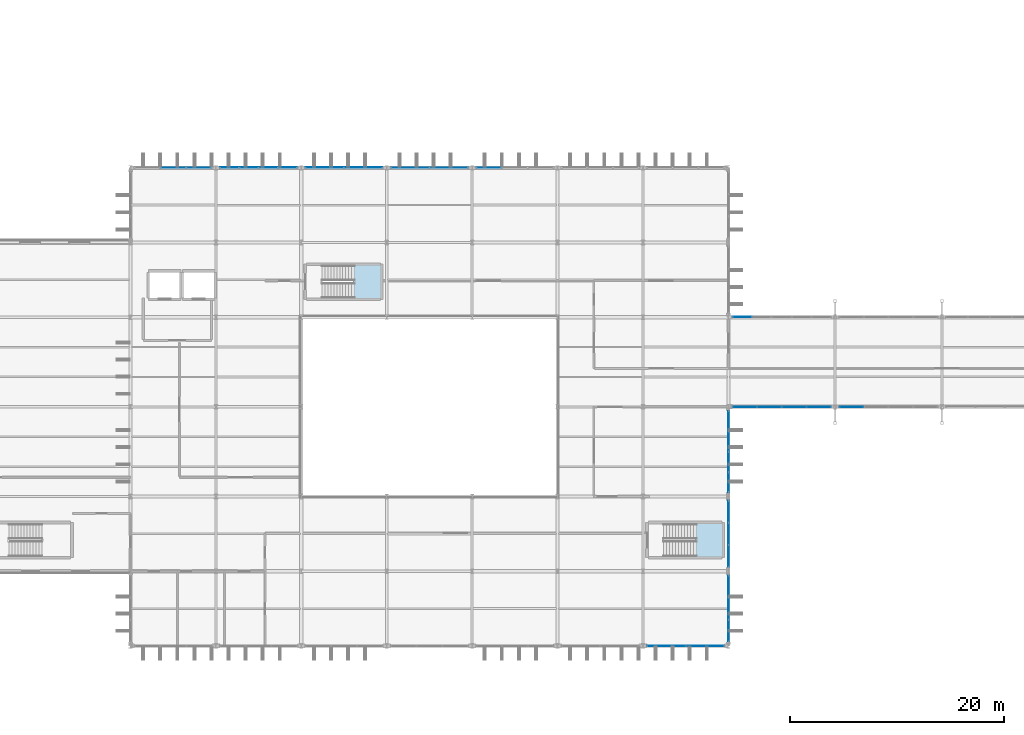
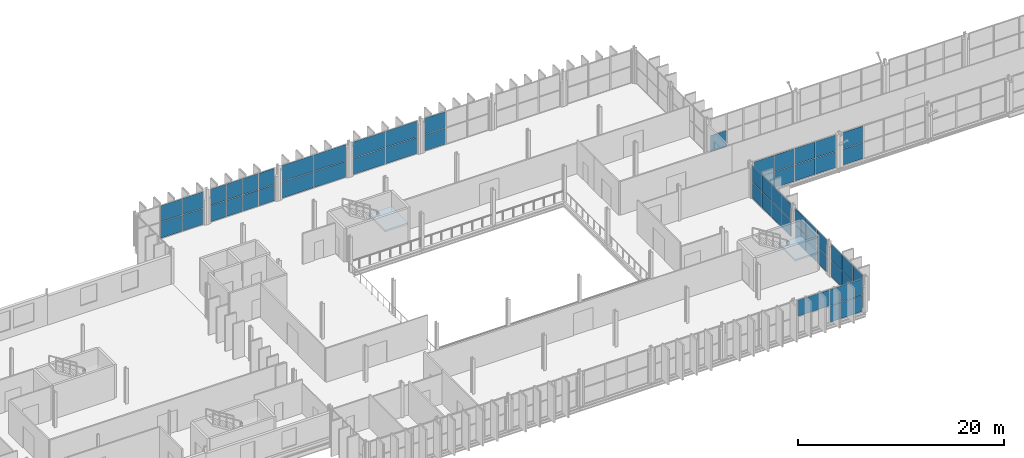
# One storey, part 69 of 101: 56 plates, 2 slabs, 14 elements without a shape of their own.
"""IFC4 building model written with IfcOpenShell, lengths in metres."""

import ifcopenshell
import ifcopenshell.guid

model = None  # the IFC model being written
_history = None  # IfcOwnerHistory: only IFC2X3 demands one
_inside = {}  # id of a spatial element -> (the spatial element, [elements in it])
_under = {}  # id of a project, library or spatial element -> (it, [spatial elements below it])
_declared = {}  # id of a project -> (the project, [libraries it declares])
_typed = {}  # id of a type object -> (the type object, [elements of that type])
_made_of = {}  # id of a material, layer set ... -> (it, [elements and type objects made of it])


def new_model(schema):
    """Start an empty IFC model of exactly this schema.

    Asked for "IFC4X3", IfcOpenShell would pick the latest addendum, in which some entities
    have other attributes; the version numbers below select the first issue.
    IFC2X3 requires an IfcOwnerHistory on every rooted entity: one is made here for all.
    """
    global model, _history
    if schema == "IFC4X3":
        model = ifcopenshell.file(schema_version=(4, 3, 0, 0))
    else:
        model = ifcopenshell.file(schema=schema)
    _inside.clear()
    _under.clear()
    _declared.clear()
    _typed.clear()
    _made_of.clear()
    _history = None
    if model.schema == "IFC2X3":
        org = make("IfcOrganization", Name="unknown")
        user = make(
            "IfcPersonAndOrganization",
            ThePerson=make("IfcPerson", FamilyName="unknown"),
            TheOrganization=org,
        )
        app = make(
            "IfcApplication",
            ApplicationDeveloper=org,
            Version="unknown",
            ApplicationFullName="unknown",
            ApplicationIdentifier="unknown",
        )
        _history = make(
            "IfcOwnerHistory",
            OwningUser=user,
            OwningApplication=app,
            ChangeAction="ADDED",
            CreationDate=0,
        )
    return model


def make(cls, **values):
    """One entity of the class cls with the attributes given. An attribute that is None is left unset."""
    return model.create_entity(
        cls, **{name: value for name, value in values.items() if value is not None}
    )


def rooted(cls, **values):
    """An entity with a GlobalId (a new one), such as an element, a storey or a relation."""
    return make(cls, GlobalId=ifcopenshell.guid.new(), OwnerHistory=_history, **values)


def si_unit(unit_type, name, prefix=None):
    """IfcSIUnit, for example si_unit("LENGTHUNIT", "METRE", prefix="MILLI")."""
    return make("IfcSIUnit", UnitType=unit_type, Prefix=prefix, Name=name)


def assignment(units):
    """IfcUnitAssignment: the units of a project."""
    return None if units is None else make("IfcUnitAssignment", Units=units)


def point(xyz):
    """IfcCartesianPoint."""
    return None if xyz is None else make("IfcCartesianPoint", Coordinates=xyz)


def direction(xyz):
    """IfcDirection."""
    return None if xyz is None else make("IfcDirection", DirectionRatios=xyz)


def frame(location, z_axis=None, x_axis=None):
    """IfcAxis2Placement3D, a coordinate frame: its origin and axes. An axis left out is left unset."""
    return make(
        "IfcAxis2Placement3D",
        Location=point(location),
        Axis=direction(z_axis),
        RefDirection=direction(x_axis),
    )


def frame_2d(location, x_axis=None):
    """IfcAxis2Placement2D, a coordinate frame in the plane: its origin and x axis."""
    return make(
        "IfcAxis2Placement2D", Location=point(location), RefDirection=direction(x_axis)
    )


def origin():
    """The frame at (0, 0, 0) with its axes left unset."""
    return frame((0.0, 0.0, 0.0))


def origin_2d():
    """The frame at (0, 0) in the plane with its x axis left unset."""
    return frame_2d((0.0, 0.0))


def place(relative_to, where):
    """IfcLocalPlacement: puts the frame where relative to a parent placement (None: the world)."""
    return make(
        "IfcLocalPlacement", PlacementRelTo=relative_to, RelativePlacement=where
    )


def context(
    kind, dimensions, precision=None, world=None, true_north=None, identifier=None
):
    """IfcGeometricRepresentationContext, for example the 3D "Model" context."""
    return make(
        "IfcGeometricRepresentationContext",
        ContextIdentifier=identifier,
        ContextType=kind,
        CoordinateSpaceDimension=dimensions,
        Precision=precision,
        WorldCoordinateSystem=world,
        TrueNorth=true_north,
    )


def subcontext(parent, identifier, kind, view, scale=None):
    """IfcGeometricRepresentationSubContext, for example "Body" below "Model"."""
    return make(
        "IfcGeometricRepresentationSubContext",
        ContextIdentifier=identifier,
        ContextType=kind,
        ParentContext=parent,
        TargetScale=scale,
        TargetView=view,
    )


def project(units=None, contexts=None):
    """IfcProject with its units and contexts."""
    return rooted(
        "IfcProject",
        Name="project",
        RepresentationContexts=contexts,
        UnitsInContext=assignment(units),
    )


def spatial(cls, under=None, at=None, **own):
    """A site, building, storey or space (cls), placed at a placement, below another one or the project."""
    s = rooted(cls, ObjectPlacement=at, **own)
    if under is not None:
        _under.setdefault(under.id(), (under, []))[1].append(s)
    return s


def polyline(points):
    """IfcPolyline through the points."""
    return make("IfcPolyline", Points=[point(p) for p in points])


def profile(cls, at=None, kind="AREA", **sizes):
    """A parametric profile (cls). Its sizes go by their IFC names, for example OverallWidth=200.0."""
    return make(cls, ProfileType=kind, Position=at, **sizes)


def rectangle(**sizes):
    """IfcRectangleProfileDef."""
    return profile("IfcRectangleProfileDef", **sizes)


def outline(outer, holes=None, kind="AREA"):
    """IfcArbitraryClosedProfileDef: a profile drawn as a closed curve; with holes, ...WithVoids."""
    if holes is None:
        return make("IfcArbitraryClosedProfileDef", ProfileType=kind, OuterCurve=outer)
    return make(
        "IfcArbitraryProfileDefWithVoids",
        ProfileType=kind,
        OuterCurve=outer,
        InnerCurves=holes,
    )


def extrude(swept, where, along, depth):
    """IfcExtrudedAreaSolid: the profile swept, set in the frame where, extruded along a direction by depth."""
    return make(
        "IfcExtrudedAreaSolid",
        SweptArea=swept,
        Position=where,
        ExtrudedDirection=direction(along),
        Depth=depth,
    )


def shape(context_of_items, identifier, shape_type, items):
    """IfcShapeRepresentation: the items that make up one representation, for example the "Body"."""
    return make(
        "IfcShapeRepresentation",
        ContextOfItems=context_of_items,
        RepresentationIdentifier=identifier,
        RepresentationType=shape_type,
        Items=items,
    )


def material(Name=None, Category=None):
    """IfcMaterial."""
    return make("IfcMaterial", Name=Name, Category=Category)


def layer(
    of_material, thickness, ventilated=None, Name=None, Category=None, Priority=None
):
    """IfcMaterialLayer: one layer of a wall or slab, of a material (None: an air gap)."""
    return make(
        "IfcMaterialLayer",
        Material=of_material,
        LayerThickness=thickness,
        IsVentilated=ventilated,
        Name=Name,
        Category=Category,
        Priority=Priority,
    )


def layer_set(layers, Name=None):
    """IfcMaterialLayerSet."""
    return make("IfcMaterialLayerSet", MaterialLayers=layers, LayerSetName=Name)


def made_of(thing, what):
    """Note that an element or type object is made of a material, layer set ...; save() writes the relation."""
    if what is not None:
        _made_of.setdefault(what.id(), (what, []))[1].append(thing)
    return thing


def type_object(cls, material=None, **own):
    """A type object (cls), such as IfcWallType, which elements share."""
    return made_of(rooted(cls, **own), material)


def element(
    cls,
    number,
    at=None,
    inside=None,
    cuts=None,
    type_object=None,
    material=None,
    context=None,
    identifier="Body",
    shape_type=None,
    held_by="IfcProductDefinitionShape",
    body=None,
    shapes=None,
    **own,
):
    """One element of the class cls, such as IfcWall. Its Tag is "e" and its number.

    at: its placement. inside: the storey or other place that contains it. cuts: it is an
    opening in that element (IfcRelVoidsElement). A single representation is given by context,
    identifier, shape_type and body (its items); several are given by shapes. held_by: the class
    of the entity that holds the representations. save() writes the other relations.
    """
    e = rooted(cls, Tag="e%d" % number, ObjectPlacement=at, **own)
    if body is not None:
        shapes = [shape(context, identifier, shape_type, body)]
    if shapes is not None:
        e.Representation = make(held_by, Representations=shapes)
    if inside is not None:
        _inside.setdefault(inside.id(), (inside, []))[1].append(e)
    if cuts is not None:
        rooted(
            "IfcRelVoidsElement", RelatingBuildingElement=cuts, RelatedOpeningElement=e
        )
    if type_object is not None:
        _typed.setdefault(type_object.id(), (type_object, []))[1].append(e)
    return made_of(e, material)


def aggregate(whole, parts):
    """IfcRelAggregates: a whole, such as a stair, and the parts it consists of."""
    return rooted("IfcRelAggregates", RelatingObject=whole, RelatedObjects=parts)


def save(model, path):
    """Write the relations noted so far, then the file.

    IfcRelAggregates (storeys below a building ...), IfcRelContainedInSpatialStructure (elements
    in a storey), IfcRelDefinesByType, IfcRelAssociatesMaterial and IfcRelDeclares: one each for
    every whole, place, type object, material and project.
    """
    for whole, parts in _under.values():
        aggregate(whole, parts)
    for where, things in _inside.values():
        rooted(
            "IfcRelContainedInSpatialStructure",
            RelatedElements=things,
            RelatingStructure=where,
        )
    for kind, things in _typed.values():
        rooted("IfcRelDefinesByType", RelatedObjects=things, RelatingType=kind)
    for what, things in _made_of.values():
        rooted("IfcRelAssociatesMaterial", RelatedObjects=things, RelatingMaterial=what)
    for by, libraries in _declared.values():
        rooted("IfcRelDeclares", RelatingContext=by, RelatedDefinitions=libraries)
    model.write(path)


model = new_model("IFC4")

# Units and contexts
model_context = context("Model", 3, precision=1e-05, world=origin(), true_north=direction((0.0, 1.0)))
body_context = subcontext(model_context, "Body", "Model", "MODEL_VIEW")
ifc_project = project(units=[si_unit("LENGTHUNIT", "METRE"), si_unit("AREAUNIT", "SQUARE_METRE"), si_unit("VOLUMEUNIT", "CUBIC_METRE"), si_unit("PLANEANGLEUNIT", "RADIAN"), si_unit("MASSUNIT", "GRAM", prefix="KILO")], contexts=[model_context])

# Site, building, storey
site_placement = place(None, origin())
site = spatial("IfcSite", under=ifc_project, at=site_placement, CompositionType="ELEMENT")
building_placement = place(site_placement, origin())
building = spatial("IfcBuilding", under=site, at=building_placement, Name="Vekula Escarpment Museum", CompositionType="ELEMENT")
storey_placement = place(building_placement, frame((0.0, 0.0, 18.0)))
storey = spatial("IfcBuildingStorey", under=building, at=storey_placement, Name="L04", CompositionType="ELEMENT", Elevation=18.0)

# Curtain wall, plates
ifc_material_1 = material(Name="Aluminium thermally broken framing", Category="aluminium")
ifc_layer_1 = layer(ifc_material_1, 0.169921875)
ifc_layer_set_1 = layer_set([ifc_layer_1], Name="Aluminium thermally broken framing")
curtain_wall_type_1 = type_object("IfcCurtainWallType", Name="CW-SYS-10", PredefinedType="NOTDEFINED", material=ifc_layer_set_1)
curtain_wall_1_placement = place(storey_placement, origin())
curtain_wall_1 = element("IfcCurtainWall", 1, at=curtain_wall_1_placement, inside=storey, type_object=curtain_wall_type_1, Name="Curtain Wall CW-L04-140", PredefinedType="NOTDEFINED")
ifc_material_2 = material(Name="Double solar-control low-E glass", Category="glass")
ifc_layer_2 = layer(ifc_material_2, 0.028076171875)
ifc_layer_set_2 = layer_set([ifc_layer_2], Name="Double solar-control low-E glass")
plate_type_1 = type_object("IfcPlateType", Name="CW-PNL-28", PredefinedType="CURTAIN_PANEL", material=ifc_layer_set_2)
plate_1_placement = place(storey_placement, frame((126.0, 54.021728515625, 0.06005859375), z_axis=(0.0, 0.0, 1.0), x_axis=(0.0, 1.0, 0.0)))
plate_1 = element("IfcPlate", 2, at=plate_1_placement, type_object=plate_type_1, Name="CW-10 panel 1.1", PredefinedType="CURTAIN_PANEL", context=body_context, shape_type="SweptSolid", body=[
    extrude(rectangle(XDim=2.00341796875, YDim=0.028076171875, at=origin_2d()), origin(), (0.0, 0.0, 1.0), 1.89990234375),
])
plate_2_placement = place(storey_placement, frame((126.0, 54.021728515625, 2.02001953125), z_axis=(0.0, 0.0, 1.0), x_axis=(0.0, 1.0, 0.0)))
plate_2 = element("IfcPlate", 3, at=plate_2_placement, type_object=plate_type_1, Name="CW-10 panel 1.2", PredefinedType="CURTAIN_PANEL", context=body_context, shape_type="SweptSolid", body=[
    extrude(rectangle(XDim=2.00341796875, YDim=0.028076171875, at=origin_2d()), origin(), (0.0, 0.0, 1.0), 1.89990234375),
])
plate_3_placement = place(storey_placement, frame((126.0, 56.10009765625, 0.06005859375), z_axis=(0.0, 0.0, 1.0), x_axis=(0.0, 1.0, 0.0)))
plate_3 = element("IfcPlate", 4, at=plate_3_placement, type_object=plate_type_1, Name="CW-10 panel 2.1", PredefinedType="CURTAIN_PANEL", context=body_context, shape_type="SweptSolid", body=[
    extrude(rectangle(XDim=2.033447265625, YDim=0.028076171875, at=origin_2d()), origin(), (0.0, 0.0, 1.0), 1.89990234375),
])
plate_4_placement = place(storey_placement, frame((126.0, 56.10009765625, 2.02001953125), z_axis=(0.0, 0.0, 1.0), x_axis=(0.0, 1.0, 0.0)))
plate_4 = element("IfcPlate", 5, at=plate_4_placement, type_object=plate_type_1, Name="CW-10 panel 2.2", PredefinedType="CURTAIN_PANEL", context=body_context, shape_type="SweptSolid", body=[
    extrude(rectangle(XDim=2.033447265625, YDim=0.028076171875, at=origin_2d()), origin(), (0.0, 0.0, 1.0), 1.89990234375),
])
plate_5_placement = place(storey_placement, frame((126.0, 58.17822265625, 0.06005859375), z_axis=(0.0, 0.0, 1.0), x_axis=(0.0, 1.0, 0.0)))
plate_5 = element("IfcPlate", 6, at=plate_5_placement, type_object=plate_type_1, Name="CW-10 panel 3.1", PredefinedType="CURTAIN_PANEL", context=body_context, shape_type="SweptSolid", body=[
    extrude(rectangle(XDim=2.00341796875, YDim=0.028076171875, at=origin_2d()), origin(), (0.0, 0.0, 1.0), 1.89990234375),
])
plate_6_placement = place(storey_placement, frame((126.0, 58.17822265625, 2.02001953125), z_axis=(0.0, 0.0, 1.0), x_axis=(0.0, 1.0, 0.0)))
plate_6 = element("IfcPlate", 7, at=plate_6_placement, type_object=plate_type_1, Name="CW-10 panel 3.2", PredefinedType="CURTAIN_PANEL", context=body_context, shape_type="SweptSolid", body=[
    extrude(rectangle(XDim=2.00341796875, YDim=0.028076171875, at=origin_2d()), origin(), (0.0, 0.0, 1.0), 1.89990234375),
])
aggregate(curtain_wall_1, [plate_1, plate_2, plate_3, plate_4, plate_5, plate_6])

ifc_material_3 = material(Name="Aluminium thermally broken framing", Category="aluminium")
ifc_layer_3 = layer(ifc_material_3, 0.139892578125)
ifc_layer_set_3 = layer_set([ifc_layer_3], Name="Aluminium thermally broken framing")
curtain_wall_type_2 = type_object("IfcCurtainWallType", Name="CW-SYS-06", PredefinedType="NOTDEFINED", material=ifc_layer_set_3)
curtain_wall_2_placement = place(storey_placement, origin())
curtain_wall_2 = element("IfcCurtainWall", 8, at=curtain_wall_2_placement, inside=storey, type_object=curtain_wall_type_2, Name="Curtain Wall CW-L04-156", PredefinedType="NOTDEFINED")
plate_7_placement = place(storey_placement, frame((103.58837890625, 90.39990234375, 0.06005859375), z_axis=(0.0, 0.0, 1.0), x_axis=(-1.0, 0.0, 0.0)))
plate_7 = element("IfcPlate", 9, at=plate_7_placement, type_object=plate_type_1, Name="CW-06 panel 3.1", PredefinedType="CURTAIN_PANEL", context=body_context, shape_type="SweptSolid", body=[
    extrude(rectangle(XDim=2.336669921875, YDim=0.028076171875, at=origin_2d()), origin(), (0.0, 0.0, 1.0), 1.89990234375),
])
plate_8_placement = place(storey_placement, frame((103.58837890625, 90.39990234375, 2.02001953125), z_axis=(0.0, 0.0, 1.0), x_axis=(-1.0, 0.0, 0.0)))
plate_8 = element("IfcPlate", 10, at=plate_8_placement, type_object=plate_type_1, Name="CW-06 panel 3.2", PredefinedType="CURTAIN_PANEL", context=body_context, shape_type="SweptSolid", body=[
    extrude(rectangle(XDim=2.336669921875, YDim=0.028076171875, at=origin_2d()), origin(), (0.0, 0.0, 1.0), 1.89990234375),
])
aggregate(curtain_wall_2, [plate_7, plate_8])

curtain_wall_3_placement = place(storey_placement, origin())
curtain_wall_3 = element("IfcCurtainWall", 11, at=curtain_wall_3_placement, inside=storey, type_object=curtain_wall_type_1, Name="Curtain Wall CW-L04-160", PredefinedType="NOTDEFINED")
plate_9_placement = place(storey_placement, frame((76.41162109375, 90.39990234375, 0.06005859375), z_axis=(0.0, 0.0, 1.0), x_axis=(-1.0, 0.0, 0.0)))
plate_9 = element("IfcPlate", 12, at=plate_9_placement, type_object=plate_type_1, Name="CW-10 panel 1.1", PredefinedType="CURTAIN_PANEL", context=body_context, shape_type="SweptSolid", body=[
    extrude(rectangle(XDim=2.336669921875, YDim=0.028076171875, at=origin_2d()), origin(), (0.0, 0.0, 1.0), 1.89990234375),
])
plate_10_placement = place(storey_placement, frame((76.41162109375, 90.39990234375, 2.02001953125), z_axis=(0.0, 0.0, 1.0), x_axis=(-1.0, 0.0, 0.0)))
plate_10 = element("IfcPlate", 13, at=plate_10_placement, type_object=plate_type_1, Name="CW-10 panel 1.2", PredefinedType="CURTAIN_PANEL", context=body_context, shape_type="SweptSolid", body=[
    extrude(rectangle(XDim=2.336669921875, YDim=0.028076171875, at=origin_2d()), origin(), (0.0, 0.0, 1.0), 1.89990234375),
])
plate_11_placement = place(storey_placement, frame((74.0, 90.39990234375, 0.06005859375), z_axis=(0.0, 0.0, 1.0), x_axis=(-1.0, 0.0, 0.0)))
plate_11 = element("IfcPlate", 14, at=plate_11_placement, type_object=plate_type_1, Name="CW-10 panel 2.1", PredefinedType="CURTAIN_PANEL", context=body_context, shape_type="SweptSolid", body=[
    extrude(rectangle(XDim=2.36669921875, YDim=0.028076171875, at=origin_2d()), origin(), (0.0, 0.0, 1.0), 1.89990234375),
])
plate_12_placement = place(storey_placement, frame((74.0, 90.39990234375, 2.02001953125), z_axis=(0.0, 0.0, 1.0), x_axis=(-1.0, 0.0, 0.0)))
plate_12 = element("IfcPlate", 15, at=plate_12_placement, type_object=plate_type_1, Name="CW-10 panel 2.2", PredefinedType="CURTAIN_PANEL", context=body_context, shape_type="SweptSolid", body=[
    extrude(rectangle(XDim=2.36669921875, YDim=0.028076171875, at=origin_2d()), origin(), (0.0, 0.0, 1.0), 1.89990234375),
])
aggregate(curtain_wall_3, [plate_9, plate_10, plate_11, plate_12])

ifc_material_4 = material(Name="Aluminium thermally broken framing", Category="aluminium")
ifc_layer_4 = layer(ifc_material_4, 0.159912109375)
ifc_layer_set_4 = layer_set([ifc_layer_4], Name="Aluminium thermally broken framing")
curtain_wall_type_3 = type_object("IfcCurtainWallType", Name="CW-SYS-01", PredefinedType="NOTDEFINED", material=ifc_layer_set_4)
curtain_wall_4_placement = place(storey_placement, origin())
curtain_wall_4 = element("IfcCurtainWall", 16, at=curtain_wall_4_placement, inside=storey, type_object=curtain_wall_type_3, Name="Curtain Wall CW-L04-141", PredefinedType="NOTDEFINED")
ifc_material_5 = material(Name="Acoustic laminated double low-E glass", Category="glass")
ifc_layer_5 = layer(ifc_material_5, 0.031982421875)
ifc_layer_set_5 = layer_set([ifc_layer_5], Name="Acoustic laminated double low-E glass")
plate_type_2 = type_object("IfcPlateType", Name="CW-PNL-32", PredefinedType="CURTAIN_PANEL", material=ifc_layer_set_5)
plate_13_placement = place(storey_placement, frame((126.0, 60.93505859375, 0.06005859375), z_axis=(0.0, 0.0, 1.0), x_axis=(0.0, 1.0, 0.0)))
plate_13 = element("IfcPlate", 17, at=plate_13_placement, type_object=plate_type_2, Name="CW-01 panel 1.1", PredefinedType="CURTAIN_PANEL", context=body_context, shape_type="SweptSolid", body=[
    extrude(rectangle(XDim=1.830078125, YDim=0.031982421875, at=origin_2d()), origin(), (0.0, 0.0, 1.0), 1.89990234375),
])
plate_14_placement = place(storey_placement, frame((126.0, 60.93505859375, 2.02001953125), z_axis=(0.0, 0.0, 1.0), x_axis=(0.0, 1.0, 0.0)))
plate_14 = element("IfcPlate", 18, at=plate_14_placement, type_object=plate_type_2, Name="CW-01 panel 1.2", PredefinedType="CURTAIN_PANEL", context=body_context, shape_type="SweptSolid", body=[
    extrude(rectangle(XDim=1.830078125, YDim=0.031982421875, at=origin_2d()), origin(), (0.0, 0.0, 1.0), 1.89990234375),
])
plate_15_placement = place(storey_placement, frame((126.0, 62.840087890625, 0.06005859375), z_axis=(0.0, 0.0, 1.0), x_axis=(0.0, 1.0, 0.0)))
plate_15 = element("IfcPlate", 19, at=plate_15_placement, type_object=plate_type_2, Name="CW-01 panel 2.1", PredefinedType="CURTAIN_PANEL", context=body_context, shape_type="SweptSolid", body=[
    extrude(rectangle(XDim=1.860107421875, YDim=0.031982421875, at=origin_2d()), origin(), (0.0, 0.0, 1.0), 1.89990234375),
])
plate_16_placement = place(storey_placement, frame((126.0, 62.840087890625, 2.02001953125), z_axis=(0.0, 0.0, 1.0), x_axis=(0.0, 1.0, 0.0)))
plate_16 = element("IfcPlate", 20, at=plate_16_placement, type_object=plate_type_2, Name="CW-01 panel 2.2", PredefinedType="CURTAIN_PANEL", context=body_context, shape_type="SweptSolid", body=[
    extrude(rectangle(XDim=1.860107421875, YDim=0.031982421875, at=origin_2d()), origin(), (0.0, 0.0, 1.0), 1.89990234375),
])
plate_17_placement = place(storey_placement, frame((126.0, 64.760009765625, 0.06005859375), z_axis=(0.0, 0.0, 1.0), x_axis=(0.0, 1.0, 0.0)))
plate_17 = element("IfcPlate", 21, at=plate_17_placement, type_object=plate_type_2, Name="CW-01 panel 3.1", PredefinedType="CURTAIN_PANEL", context=body_context, shape_type="SweptSolid", body=[
    extrude(rectangle(XDim=1.860107421875, YDim=0.031982421875, at=origin_2d()), origin(), (0.0, 0.0, 1.0), 1.89990234375),
])
plate_18_placement = place(storey_placement, frame((126.0, 64.760009765625, 2.02001953125), z_axis=(0.0, 0.0, 1.0), x_axis=(0.0, 1.0, 0.0)))
plate_18 = element("IfcPlate", 22, at=plate_18_placement, type_object=plate_type_2, Name="CW-01 panel 3.2", PredefinedType="CURTAIN_PANEL", context=body_context, shape_type="SweptSolid", body=[
    extrude(rectangle(XDim=1.860107421875, YDim=0.031982421875, at=origin_2d()), origin(), (0.0, 0.0, 1.0), 1.89990234375),
])
plate_19_placement = place(storey_placement, frame((126.0, 66.6650390625, 0.06005859375), z_axis=(0.0, 0.0, 1.0), x_axis=(0.0, 1.0, 0.0)))
plate_19 = element("IfcPlate", 23, at=plate_19_placement, type_object=plate_type_2, Name="CW-01 panel 4.1", PredefinedType="CURTAIN_PANEL", context=body_context, shape_type="SweptSolid", body=[
    extrude(rectangle(XDim=1.830078125, YDim=0.031982421875, at=origin_2d()), origin(), (0.0, 0.0, 1.0), 1.89990234375),
])
plate_20_placement = place(storey_placement, frame((126.0, 66.6650390625, 2.02001953125), z_axis=(0.0, 0.0, 1.0), x_axis=(0.0, 1.0, 0.0)))
plate_20 = element("IfcPlate", 24, at=plate_20_placement, type_object=plate_type_2, Name="CW-01 panel 4.2", PredefinedType="CURTAIN_PANEL", context=body_context, shape_type="SweptSolid", body=[
    extrude(rectangle(XDim=1.830078125, YDim=0.031982421875, at=origin_2d()), origin(), (0.0, 0.0, 1.0), 1.89990234375),
])
aggregate(curtain_wall_4, [plate_13, plate_14, plate_15, plate_16, plate_17, plate_18, plate_19, plate_20])

ifc_material_6 = material(Name="Aluminium thermally broken framing", Category="aluminium")
ifc_layer_6 = layer(ifc_material_6, 0.179931640625)
ifc_layer_set_6 = layer_set([ifc_layer_6], Name="Aluminium thermally broken framing")
curtain_wall_type_4 = type_object("IfcCurtainWallType", Name="CW-SYS-07", PredefinedType="NOTDEFINED", material=ifc_layer_set_6)
curtain_wall_5_placement = place(storey_placement, origin())
curtain_wall_5 = element("IfcCurtainWall", 25, at=curtain_wall_5_placement, inside=storey, type_object=curtain_wall_type_4, Name="Curtain Wall CW-L04-157", PredefinedType="NOTDEFINED")
plate_21_placement = place(storey_placement, frame((99.804931640625, 90.39990234375, 0.06005859375), z_axis=(0.0, 0.0, 1.0), x_axis=(-1.0, 0.0, 0.0)))
plate_21 = element("IfcPlate", 26, at=plate_21_placement, type_object=plate_type_2, Name="CW-07 panel 1.1", PredefinedType="CURTAIN_PANEL", context=body_context, shape_type="SweptSolid", body=[
    extrude(rectangle(XDim=3.550048828125, YDim=0.031982421875, at=origin_2d()), origin(), (0.0, 0.0, 1.0), 1.89990234375),
])
plate_22_placement = place(storey_placement, frame((99.804931640625, 90.39990234375, 2.02001953125), z_axis=(0.0, 0.0, 1.0), x_axis=(-1.0, 0.0, 0.0)))
plate_22 = element("IfcPlate", 27, at=plate_22_placement, type_object=plate_type_2, Name="CW-07 panel 1.2", PredefinedType="CURTAIN_PANEL", context=body_context, shape_type="SweptSolid", body=[
    extrude(rectangle(XDim=3.550048828125, YDim=0.031982421875, at=origin_2d()), origin(), (0.0, 0.0, 1.0), 1.89990234375),
])
plate_23_placement = place(storey_placement, frame((96.195068359375, 90.39990234375, 0.06005859375), z_axis=(0.0, 0.0, 1.0), x_axis=(-1.0, 0.0, 0.0)))
plate_23 = element("IfcPlate", 28, at=plate_23_placement, type_object=plate_type_2, Name="CW-07 panel 2.1", PredefinedType="CURTAIN_PANEL", context=body_context, shape_type="SweptSolid", body=[
    extrude(rectangle(XDim=3.550048828125, YDim=0.031982421875, at=origin_2d()), origin(), (0.0, 0.0, 1.0), 1.89990234375),
])
plate_24_placement = place(storey_placement, frame((96.195068359375, 90.39990234375, 2.02001953125), z_axis=(0.0, 0.0, 1.0), x_axis=(-1.0, 0.0, 0.0)))
plate_24 = element("IfcPlate", 29, at=plate_24_placement, type_object=plate_type_2, Name="CW-07 panel 2.2", PredefinedType="CURTAIN_PANEL", context=body_context, shape_type="SweptSolid", body=[
    extrude(rectangle(XDim=3.550048828125, YDim=0.031982421875, at=origin_2d()), origin(), (0.0, 0.0, 1.0), 1.89990234375),
])
aggregate(curtain_wall_5, [plate_21, plate_22, plate_23, plate_24])

ifc_material_7 = material(Name="Aluminium thermally broken framing", Category="aluminium")
ifc_layer_7 = layer(ifc_material_7, 0.179931640625)
ifc_layer_set_7 = layer_set([ifc_layer_7], Name="Aluminium thermally broken framing")
curtain_wall_type_5 = type_object("IfcCurtainWallType", Name="CW-SYS-08", PredefinedType="NOTDEFINED", material=ifc_layer_set_7)
curtain_wall_6_placement = place(storey_placement, origin())
curtain_wall_6 = element("IfcCurtainWall", 30, at=curtain_wall_6_placement, inside=storey, type_object=curtain_wall_type_5, Name="Curtain Wall CW-L04-138", PredefinedType="NOTDEFINED")
ifc_material_8 = material(Name="Triple UV-filtered museum gallery glass", Category="glass")
ifc_layer_8 = layer(ifc_material_8, 0.035888671875)
ifc_layer_set_8 = layer_set([ifc_layer_8], Name="Triple UV-filtered museum gallery glass")
plate_type_3 = type_object("IfcPlateType", Name="CW-PNL-36", PredefinedType="CURTAIN_PANEL", material=ifc_layer_set_8)
plate_25_placement = place(storey_placement, frame((120.195068359375, 45.60009765625, 2.02001953125), z_axis=(0.0, 0.0, 1.0), x_axis=(1.0, 0.0, 0.0)))
plate_25 = element("IfcPlate", 31, at=plate_25_placement, type_object=plate_type_3, Name="CW-08 panel 1.2", PredefinedType="CURTAIN_PANEL", context=body_context, shape_type="SweptSolid", body=[
    extrude(rectangle(XDim=3.550048828125, YDim=0.035888671875, at=origin_2d()), origin(), (0.0, 0.0, 1.0), 1.89990234375),
])
plate_26_placement = place(storey_placement, frame((123.804931640625, 45.60009765625, 0.06005859375), z_axis=(0.0, 0.0, 1.0), x_axis=(1.0, 0.0, 0.0)))
plate_26 = element("IfcPlate", 32, at=plate_26_placement, type_object=plate_type_3, Name="CW-08 panel 2.1", PredefinedType="CURTAIN_PANEL", context=body_context, shape_type="SweptSolid", body=[
    extrude(rectangle(XDim=3.550048828125, YDim=0.035888671875, at=origin_2d()), origin(), (0.0, 0.0, 1.0), 1.89990234375),
])
plate_27_placement = place(storey_placement, frame((123.804931640625, 45.60009765625, 2.02001953125), z_axis=(0.0, 0.0, 1.0), x_axis=(1.0, 0.0, 0.0)))
plate_27 = element("IfcPlate", 33, at=plate_27_placement, type_object=plate_type_3, Name="CW-08 panel 2.2", PredefinedType="CURTAIN_PANEL", context=body_context, shape_type="SweptSolid", body=[
    extrude(rectangle(XDim=3.550048828125, YDim=0.035888671875, at=origin_2d()), origin(), (0.0, 0.0, 1.0), 1.89990234375),
])
aggregate(curtain_wall_6, [plate_25, plate_26, plate_27])

ifc_material_9 = material(Name="Aluminium thermally broken framing", Category="aluminium")
ifc_layer_9 = layer(ifc_material_9, 0.159912109375)
ifc_layer_set_9 = layer_set([ifc_layer_9], Name="Aluminium thermally broken framing")
curtain_wall_type_6 = type_object("IfcCurtainWallType", Name="CW-SYS-02", PredefinedType="NOTDEFINED", material=ifc_layer_set_9)
curtain_wall_7_placement = place(storey_placement, origin())
curtain_wall_7 = element("IfcCurtainWall", 34, at=curtain_wall_7_placement, inside=storey, type_object=curtain_wall_type_6, Name="Curtain Wall CW-L04-142", PredefinedType="NOTDEFINED")
plate_28_placement = place(storey_placement, frame((127.534912109375, 68.0, 0.06005859375), z_axis=(0.0, 0.0, 1.0), x_axis=(1.0, 0.0, 0.0)))
plate_28 = element("IfcPlate", 35, at=plate_28_placement, type_object=plate_type_3, Name="CW-02 panel 1.1", PredefinedType="CURTAIN_PANEL", context=body_context, shape_type="SweptSolid", body=[
    extrude(rectangle(XDim=2.22998046875, YDim=0.035888671875, at=origin_2d()), origin(), (0.0, 0.0, 1.0), 1.89990234375),
])
plate_29_placement = place(storey_placement, frame((127.534912109375, 68.0, 2.02001953125), z_axis=(0.0, 0.0, 1.0), x_axis=(1.0, 0.0, 0.0)))
plate_29 = element("IfcPlate", 36, at=plate_29_placement, type_object=plate_type_3, Name="CW-02 panel 1.2", PredefinedType="CURTAIN_PANEL", context=body_context, shape_type="SweptSolid", body=[
    extrude(rectangle(XDim=2.22998046875, YDim=0.035888671875, at=origin_2d()), origin(), (0.0, 0.0, 1.0), 1.89990234375),
])
plate_30_placement = place(storey_placement, frame((129.840087890625, 68.0, 0.06005859375), z_axis=(0.0, 0.0, 1.0), x_axis=(1.0, 0.0, 0.0)))
plate_30 = element("IfcPlate", 37, at=plate_30_placement, type_object=plate_type_3, Name="CW-02 panel 2.1", PredefinedType="CURTAIN_PANEL", context=body_context, shape_type="SweptSolid", body=[
    extrude(rectangle(XDim=2.260009765625, YDim=0.035888671875, at=origin_2d()), origin(), (0.0, 0.0, 1.0), 1.89990234375),
])
plate_31_placement = place(storey_placement, frame((129.840087890625, 68.0, 2.02001953125), z_axis=(0.0, 0.0, 1.0), x_axis=(1.0, 0.0, 0.0)))
plate_31 = element("IfcPlate", 38, at=plate_31_placement, type_object=plate_type_3, Name="CW-02 panel 2.2", PredefinedType="CURTAIN_PANEL", context=body_context, shape_type="SweptSolid", body=[
    extrude(rectangle(XDim=2.260009765625, YDim=0.035888671875, at=origin_2d()), origin(), (0.0, 0.0, 1.0), 1.89990234375),
])
plate_32_placement = place(storey_placement, frame((132.159912109375, 68.0, 0.06005859375), z_axis=(0.0, 0.0, 1.0), x_axis=(1.0, 0.0, 0.0)))
plate_32 = element("IfcPlate", 39, at=plate_32_placement, type_object=plate_type_3, Name="CW-02 panel 3.1", PredefinedType="CURTAIN_PANEL", context=body_context, shape_type="SweptSolid", body=[
    extrude(rectangle(XDim=2.260009765625, YDim=0.035888671875, at=origin_2d()), origin(), (0.0, 0.0, 1.0), 1.89990234375),
])
plate_33_placement = place(storey_placement, frame((132.159912109375, 68.0, 2.02001953125), z_axis=(0.0, 0.0, 1.0), x_axis=(1.0, 0.0, 0.0)))
plate_33 = element("IfcPlate", 40, at=plate_33_placement, type_object=plate_type_3, Name="CW-02 panel 3.2", PredefinedType="CURTAIN_PANEL", context=body_context, shape_type="SweptSolid", body=[
    extrude(rectangle(XDim=2.260009765625, YDim=0.035888671875, at=origin_2d()), origin(), (0.0, 0.0, 1.0), 1.89990234375),
])
plate_34_placement = place(storey_placement, frame((134.465087890625, 68.0, 0.06005859375), z_axis=(0.0, 0.0, 1.0), x_axis=(1.0, 0.0, 0.0)))
plate_34 = element("IfcPlate", 41, at=plate_34_placement, type_object=plate_type_3, Name="CW-02 panel 4.1", PredefinedType="CURTAIN_PANEL", context=body_context, shape_type="SweptSolid", body=[
    extrude(rectangle(XDim=2.22998046875, YDim=0.035888671875, at=origin_2d()), origin(), (0.0, 0.0, 1.0), 1.89990234375),
])
plate_35_placement = place(storey_placement, frame((134.465087890625, 68.0, 2.02001953125), z_axis=(0.0, 0.0, 1.0), x_axis=(1.0, 0.0, 0.0)))
plate_35 = element("IfcPlate", 42, at=plate_35_placement, type_object=plate_type_3, Name="CW-02 panel 4.2", PredefinedType="CURTAIN_PANEL", context=body_context, shape_type="SweptSolid", body=[
    extrude(rectangle(XDim=2.22998046875, YDim=0.035888671875, at=origin_2d()), origin(), (0.0, 0.0, 1.0), 1.89990234375),
])
aggregate(curtain_wall_7, [plate_28, plate_29, plate_30, plate_31, plate_32, plate_33, plate_34, plate_35])

curtain_wall_8_placement = place(storey_placement, origin())
curtain_wall_8 = element("IfcCurtainWall", 43, at=curtain_wall_8_placement, inside=storey, type_object=curtain_wall_type_5, Name="Curtain Wall CW-L04-158", PredefinedType="NOTDEFINED")
plate_36_placement = place(storey_placement, frame((91.804931640625, 90.39990234375, 0.06005859375), z_axis=(0.0, 0.0, 1.0), x_axis=(-1.0, 0.0, 0.0)))
plate_36 = element("IfcPlate", 44, at=plate_36_placement, type_object=plate_type_3, Name="CW-08 panel 1.1", PredefinedType="CURTAIN_PANEL", context=body_context, shape_type="SweptSolid", body=[
    extrude(rectangle(XDim=3.550048828125, YDim=0.035888671875, at=origin_2d()), origin(), (0.0, 0.0, 1.0), 1.89990234375),
])
plate_37_placement = place(storey_placement, frame((91.804931640625, 90.39990234375, 2.02001953125), z_axis=(0.0, 0.0, 1.0), x_axis=(-1.0, 0.0, 0.0)))
plate_37 = element("IfcPlate", 45, at=plate_37_placement, type_object=plate_type_3, Name="CW-08 panel 1.2", PredefinedType="CURTAIN_PANEL", context=body_context, shape_type="SweptSolid", body=[
    extrude(rectangle(XDim=3.550048828125, YDim=0.035888671875, at=origin_2d()), origin(), (0.0, 0.0, 1.0), 1.89990234375),
])
plate_38_placement = place(storey_placement, frame((88.195068359375, 90.39990234375, 0.06005859375), z_axis=(0.0, 0.0, 1.0), x_axis=(-1.0, 0.0, 0.0)))
plate_38 = element("IfcPlate", 46, at=plate_38_placement, type_object=plate_type_3, Name="CW-08 panel 2.1", PredefinedType="CURTAIN_PANEL", context=body_context, shape_type="SweptSolid", body=[
    extrude(rectangle(XDim=3.550048828125, YDim=0.035888671875, at=origin_2d()), origin(), (0.0, 0.0, 1.0), 1.89990234375),
])
plate_39_placement = place(storey_placement, frame((88.195068359375, 90.39990234375, 2.02001953125), z_axis=(0.0, 0.0, 1.0), x_axis=(-1.0, 0.0, 0.0)))
plate_39 = element("IfcPlate", 47, at=plate_39_placement, type_object=plate_type_3, Name="CW-08 panel 2.2", PredefinedType="CURTAIN_PANEL", context=body_context, shape_type="SweptSolid", body=[
    extrude(rectangle(XDim=3.550048828125, YDim=0.035888671875, at=origin_2d()), origin(), (0.0, 0.0, 1.0), 1.89990234375),
])
aggregate(curtain_wall_8, [plate_36, plate_37, plate_38, plate_39])

ifc_material_10 = material(Name="Aluminium thermally broken framing", Category="aluminium")
ifc_layer_10 = layer(ifc_material_10, 0.14990234375)
ifc_layer_set_10 = layer_set([ifc_layer_10], Name="Aluminium thermally broken framing")
curtain_wall_type_7 = type_object("IfcCurtainWallType", Name="CW-SYS-09", PredefinedType="NOTDEFINED", material=ifc_layer_set_10)
curtain_wall_9_placement = place(storey_placement, origin())
curtain_wall_9 = element("IfcCurtainWall", 48, at=curtain_wall_9_placement, inside=storey, type_object=curtain_wall_type_7, Name="Curtain Wall CW-L04-139", PredefinedType="NOTDEFINED")
ifc_material_11 = material(Name="Insulated bronze spandrel glass panel", Category="glass")
ifc_layer_11 = layer(ifc_material_11, 0.0400390625)
ifc_layer_set_11 = layer_set([ifc_layer_11], Name="Insulated bronze spandrel glass panel")
plate_type_4 = type_object("IfcPlateType", Name="CW-PNL-40", PredefinedType="CURTAIN_PANEL", material=ifc_layer_set_11)
plate_40_placement = place(storey_placement, frame((126.0, 47.021728515625, 0.06005859375), z_axis=(0.0, 0.0, 1.0), x_axis=(0.0, 1.0, 0.0)))
plate_40 = element("IfcPlate", 49, at=plate_40_placement, type_object=plate_type_4, Name="CW-09 panel 1.1", PredefinedType="CURTAIN_PANEL", context=body_context, shape_type="SweptSolid", body=[
    extrude(rectangle(XDim=2.00341796875, YDim=0.0400390625, at=origin_2d()), origin(), (0.0, 0.0, 1.0), 1.89990234375),
])
plate_41_placement = place(storey_placement, frame((126.0, 47.021728515625, 2.02001953125), z_axis=(0.0, 0.0, 1.0), x_axis=(0.0, 1.0, 0.0)))
plate_41 = element("IfcPlate", 50, at=plate_41_placement, type_object=plate_type_4, Name="CW-09 panel 1.2", PredefinedType="CURTAIN_PANEL", context=body_context, shape_type="SweptSolid", body=[
    extrude(rectangle(XDim=2.00341796875, YDim=0.0400390625, at=origin_2d()), origin(), (0.0, 0.0, 1.0), 1.89990234375),
])
plate_42_placement = place(storey_placement, frame((126.0, 49.10009765625, 0.06005859375), z_axis=(0.0, 0.0, 1.0), x_axis=(0.0, 1.0, 0.0)))
plate_42 = element("IfcPlate", 51, at=plate_42_placement, type_object=plate_type_4, Name="CW-09 panel 2.1", PredefinedType="CURTAIN_PANEL", context=body_context, shape_type="SweptSolid", body=[
    extrude(rectangle(XDim=2.033447265625, YDim=0.0400390625, at=origin_2d()), origin(), (0.0, 0.0, 1.0), 1.89990234375),
])
plate_43_placement = place(storey_placement, frame((126.0, 49.10009765625, 2.02001953125), z_axis=(0.0, 0.0, 1.0), x_axis=(0.0, 1.0, 0.0)))
plate_43 = element("IfcPlate", 52, at=plate_43_placement, type_object=plate_type_4, Name="CW-09 panel 2.2", PredefinedType="CURTAIN_PANEL", context=body_context, shape_type="SweptSolid", body=[
    extrude(rectangle(XDim=2.033447265625, YDim=0.0400390625, at=origin_2d()), origin(), (0.0, 0.0, 1.0), 1.89990234375),
])
plate_44_placement = place(storey_placement, frame((126.0, 51.17822265625, 0.06005859375), z_axis=(0.0, 0.0, 1.0), x_axis=(0.0, 1.0, 0.0)))
plate_44 = element("IfcPlate", 53, at=plate_44_placement, type_object=plate_type_4, Name="CW-09 panel 3.1", PredefinedType="CURTAIN_PANEL", context=body_context, shape_type="SweptSolid", body=[
    extrude(rectangle(XDim=2.00341796875, YDim=0.0400390625, at=origin_2d()), origin(), (0.0, 0.0, 1.0), 1.89990234375),
])
plate_45_placement = place(storey_placement, frame((126.0, 51.17822265625, 2.02001953125), z_axis=(0.0, 0.0, 1.0), x_axis=(0.0, 1.0, 0.0)))
plate_45 = element("IfcPlate", 54, at=plate_45_placement, type_object=plate_type_4, Name="CW-09 panel 3.2", PredefinedType="CURTAIN_PANEL", context=body_context, shape_type="SweptSolid", body=[
    extrude(rectangle(XDim=2.00341796875, YDim=0.0400390625, at=origin_2d()), origin(), (0.0, 0.0, 1.0), 1.89990234375),
])
aggregate(curtain_wall_9, [plate_40, plate_41, plate_42, plate_43, plate_44, plate_45])

ifc_material_12 = material(Name="Aluminium thermally broken framing", Category="aluminium")
ifc_layer_12 = layer(ifc_material_12, 0.199951171875)
ifc_layer_set_12 = layer_set([ifc_layer_12], Name="Aluminium thermally broken framing")
curtain_wall_type_8 = type_object("IfcCurtainWallType", Name="CW-SYS-03", PredefinedType="NOTDEFINED", material=ifc_layer_set_12)
curtain_wall_10_placement = place(storey_placement, origin())
curtain_wall_10 = element("IfcCurtainWall", 55, at=curtain_wall_10_placement, inside=storey, type_object=curtain_wall_type_8, Name="Curtain Wall CW-L04-143", PredefinedType="NOTDEFINED")
plate_46_placement = place(storey_placement, frame((137.534912109375, 68.0, 0.06005859375), z_axis=(0.0, 0.0, 1.0), x_axis=(1.0, 0.0, 0.0)))
plate_46 = element("IfcPlate", 56, at=plate_46_placement, type_object=plate_type_4, Name="CW-03 panel 1.1", PredefinedType="CURTAIN_PANEL", context=body_context, shape_type="SweptSolid", body=[
    extrude(rectangle(XDim=2.22998046875, YDim=0.0400390625, at=origin_2d()), origin(), (0.0, 0.0, 1.0), 1.89990234375),
])
plate_47_placement = place(storey_placement, frame((137.534912109375, 68.0, 2.02001953125), z_axis=(0.0, 0.0, 1.0), x_axis=(1.0, 0.0, 0.0)))
plate_47 = element("IfcPlate", 57, at=plate_47_placement, type_object=plate_type_4, Name="CW-03 panel 1.2", PredefinedType="CURTAIN_PANEL", context=body_context, shape_type="SweptSolid", body=[
    extrude(rectangle(XDim=2.22998046875, YDim=0.0400390625, at=origin_2d()), origin(), (0.0, 0.0, 1.0), 1.89990234375),
])
aggregate(curtain_wall_10, [plate_46, plate_47])

# Curtain wall, plate
curtain_wall_11_placement = place(storey_placement, origin())
curtain_wall_11 = element("IfcCurtainWall", 58, at=curtain_wall_11_placement, inside=storey, type_object=curtain_wall_type_3, Name="Curtain Wall CW-L04-151", PredefinedType="NOTDEFINED")
plate_48_placement = place(storey_placement, frame((127.302978515625, 76.39990234375, 0.06005859375), z_axis=(0.0, 0.0, 1.0), x_axis=(-1.0, 0.0, 0.0)))
plate_48 = element("IfcPlate", 59, at=plate_48_placement, type_object=plate_type_4, Name="CW-01 panel 5.1", PredefinedType="CURTAIN_PANEL", context=body_context, shape_type="SweptSolid", body=[
    extrude(rectangle(XDim=1.76611328125, YDim=0.0400390625, at=origin_2d()), origin(), (0.0, 0.0, 1.0), 1.89990234375),
])
aggregate(curtain_wall_11, [plate_48])

# Curtain wall, plates
curtain_wall_12_placement = place(storey_placement, origin())
curtain_wall_12 = element("IfcCurtainWall", 60, at=curtain_wall_12_placement, inside=storey, type_object=curtain_wall_type_7, Name="Curtain Wall CW-L04-159", PredefinedType="NOTDEFINED")
plate_49_placement = place(storey_placement, frame((84.715087890625, 90.39990234375, 0.06005859375), z_axis=(0.0, 0.0, 1.0), x_axis=(-1.0, 0.0, 0.0)))
plate_49 = element("IfcPlate", 61, at=plate_49_placement, type_object=plate_type_4, Name="CW-09 panel 1.1", PredefinedType="CURTAIN_PANEL", context=body_context, shape_type="SweptSolid", body=[
    extrude(rectangle(XDim=1.72998046875, YDim=0.0400390625, at=origin_2d()), origin(), (0.0, 0.0, 1.0), 1.89990234375),
])
plate_50_placement = place(storey_placement, frame((84.715087890625, 90.39990234375, 2.02001953125), z_axis=(0.0, 0.0, 1.0), x_axis=(-1.0, 0.0, 0.0)))
plate_50 = element("IfcPlate", 62, at=plate_50_placement, type_object=plate_type_4, Name="CW-09 panel 1.2", PredefinedType="CURTAIN_PANEL", context=body_context, shape_type="SweptSolid", body=[
    extrude(rectangle(XDim=1.72998046875, YDim=0.0400390625, at=origin_2d()), origin(), (0.0, 0.0, 1.0), 1.89990234375),
])
plate_51_placement = place(storey_placement, frame((82.909912109375, 90.39990234375, 0.06005859375), z_axis=(0.0, 0.0, 1.0), x_axis=(-1.0, 0.0, 0.0)))
plate_51 = element("IfcPlate", 63, at=plate_51_placement, type_object=plate_type_4, Name="CW-09 panel 2.1", PredefinedType="CURTAIN_PANEL", context=body_context, shape_type="SweptSolid", body=[
    extrude(rectangle(XDim=1.760009765625, YDim=0.0400390625, at=origin_2d()), origin(), (0.0, 0.0, 1.0), 1.89990234375),
])
plate_52_placement = place(storey_placement, frame((82.909912109375, 90.39990234375, 2.02001953125), z_axis=(0.0, 0.0, 1.0), x_axis=(-1.0, 0.0, 0.0)))
plate_52 = element("IfcPlate", 64, at=plate_52_placement, type_object=plate_type_4, Name="CW-09 panel 2.2", PredefinedType="CURTAIN_PANEL", context=body_context, shape_type="SweptSolid", body=[
    extrude(rectangle(XDim=1.760009765625, YDim=0.0400390625, at=origin_2d()), origin(), (0.0, 0.0, 1.0), 1.89990234375),
])
plate_53_placement = place(storey_placement, frame((81.090087890625, 90.39990234375, 0.06005859375), z_axis=(0.0, 0.0, 1.0), x_axis=(-1.0, 0.0, 0.0)))
plate_53 = element("IfcPlate", 65, at=plate_53_placement, type_object=plate_type_4, Name="CW-09 panel 3.1", PredefinedType="CURTAIN_PANEL", context=body_context, shape_type="SweptSolid", body=[
    extrude(rectangle(XDim=1.760009765625, YDim=0.0400390625, at=origin_2d()), origin(), (0.0, 0.0, 1.0), 1.89990234375),
])
plate_54_placement = place(storey_placement, frame((81.090087890625, 90.39990234375, 2.02001953125), z_axis=(0.0, 0.0, 1.0), x_axis=(-1.0, 0.0, 0.0)))
plate_54 = element("IfcPlate", 66, at=plate_54_placement, type_object=plate_type_4, Name="CW-09 panel 3.2", PredefinedType="CURTAIN_PANEL", context=body_context, shape_type="SweptSolid", body=[
    extrude(rectangle(XDim=1.760009765625, YDim=0.0400390625, at=origin_2d()), origin(), (0.0, 0.0, 1.0), 1.89990234375),
])
plate_55_placement = place(storey_placement, frame((79.284912109375, 90.39990234375, 0.06005859375), z_axis=(0.0, 0.0, 1.0), x_axis=(-1.0, 0.0, 0.0)))
plate_55 = element("IfcPlate", 67, at=plate_55_placement, type_object=plate_type_4, Name="CW-09 panel 4.1", PredefinedType="CURTAIN_PANEL", context=body_context, shape_type="SweptSolid", body=[
    extrude(rectangle(XDim=1.72998046875, YDim=0.0400390625, at=origin_2d()), origin(), (0.0, 0.0, 1.0), 1.89990234375),
])
plate_56_placement = place(storey_placement, frame((79.284912109375, 90.39990234375, 2.02001953125), z_axis=(0.0, 0.0, 1.0), x_axis=(-1.0, 0.0, 0.0)))
plate_56 = element("IfcPlate", 68, at=plate_56_placement, type_object=plate_type_4, Name="CW-09 panel 4.2", PredefinedType="CURTAIN_PANEL", context=body_context, shape_type="SweptSolid", body=[
    extrude(rectangle(XDim=1.72998046875, YDim=0.0400390625, at=origin_2d()), origin(), (0.0, 0.0, 1.0), 1.89990234375),
])
aggregate(curtain_wall_12, [plate_49, plate_50, plate_51, plate_52, plate_53, plate_54, plate_55, plate_56])

# Stair, slab
ifc_material_13 = material(Name="Concrete C35/45", Category="concrete")
stair_type = type_object("IfcStairType", Name="STR-TYPE-142", PredefinedType="HALF_TURN_STAIR", material=ifc_material_13)
stair_1_placement = place(storey_placement, origin())
stair_1 = element("IfcStair", 69, at=stair_1_placement, inside=storey, type_object=stair_type, Name="L04 Great Hall East Exit Stair ST-08", PredefinedType="HALF_TURN_STAIR")
ifc_material_14 = material(Name="Concrete C35/45", Category="concrete")
ifc_layer_13 = layer(ifc_material_14, 0.199951171875)
ifc_layer_set_13 = layer_set([ifc_layer_13], Name="Concrete C35/45")
slab_type = type_object("IfcSlabType", Name="SL-LAND-200", PredefinedType="LANDING", material=ifc_layer_set_13)
slab_1_placement = place(storey_placement, frame((0.0, 0.0, 1.89990234375)))
slab_1 = element("IfcSlab", 70, at=slab_1_placement, type_object=slab_type, Name="ST-08 landing 1", PredefinedType="LANDING", context=body_context, shape_type="SweptSolid", body=[
    extrude(outline(polyline([(122.909912109375, 53.909912109375), (125.489990234375, 53.909912109375), (125.489990234375, 57.1298828125), (122.909912109375, 57.1298828125), (122.909912109375, 53.909912109375)])), origin(), (0.0, 0.0, 1.0), 0.2001953125),
])
aggregate(stair_1, [slab_1])

stair_2_placement = place(storey_placement, origin())
stair_2 = element("IfcStair", 71, at=stair_2_placement, inside=storey, type_object=stair_type, Name="L04 Great Hall North Exit Stair ST-09", PredefinedType="HALF_TURN_STAIR")
slab_2_placement = place(storey_placement, frame((0.0, 0.0, 1.89990234375)))
slab_2 = element("IfcSlab", 72, at=slab_2_placement, type_object=slab_type, Name="ST-09 landing 1", PredefinedType="LANDING", context=body_context, shape_type="SweptSolid", body=[
    extrude(outline(polyline([(90.909912109375, 78.110107421875), (93.489990234375, 78.110107421875), (93.489990234375, 81.330078125), (90.909912109375, 81.330078125), (90.909912109375, 78.110107421875)])), origin(), (0.0, 0.0, 1.0), 0.2001953125),
])
aggregate(stair_2, [slab_2])

save(model, "model.ifc")
